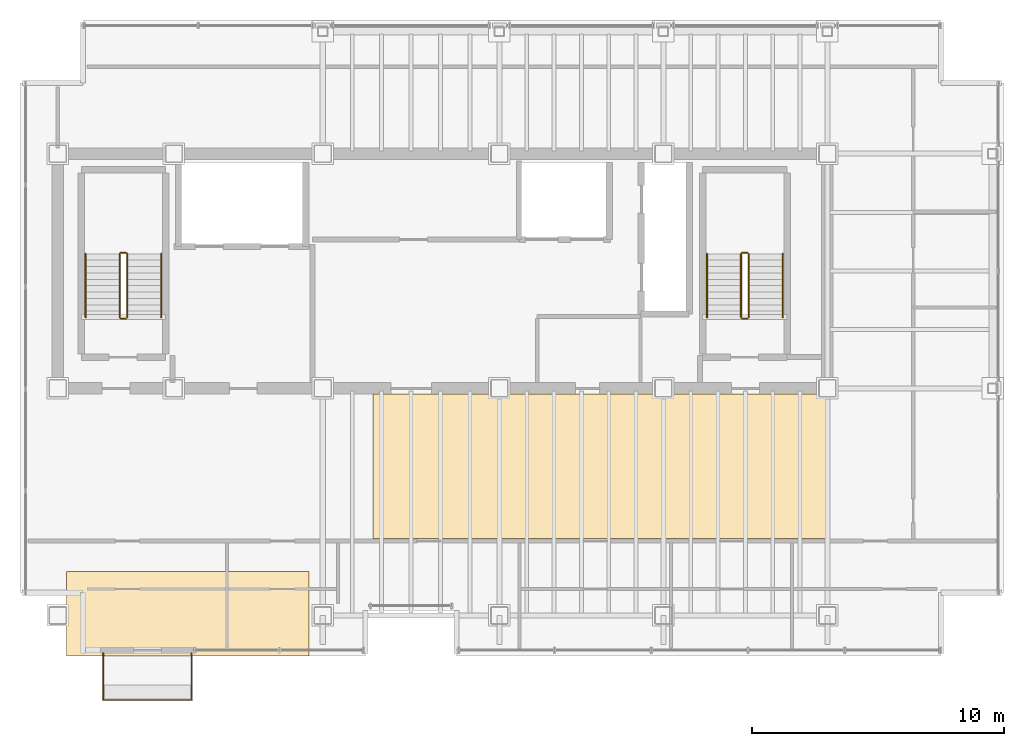
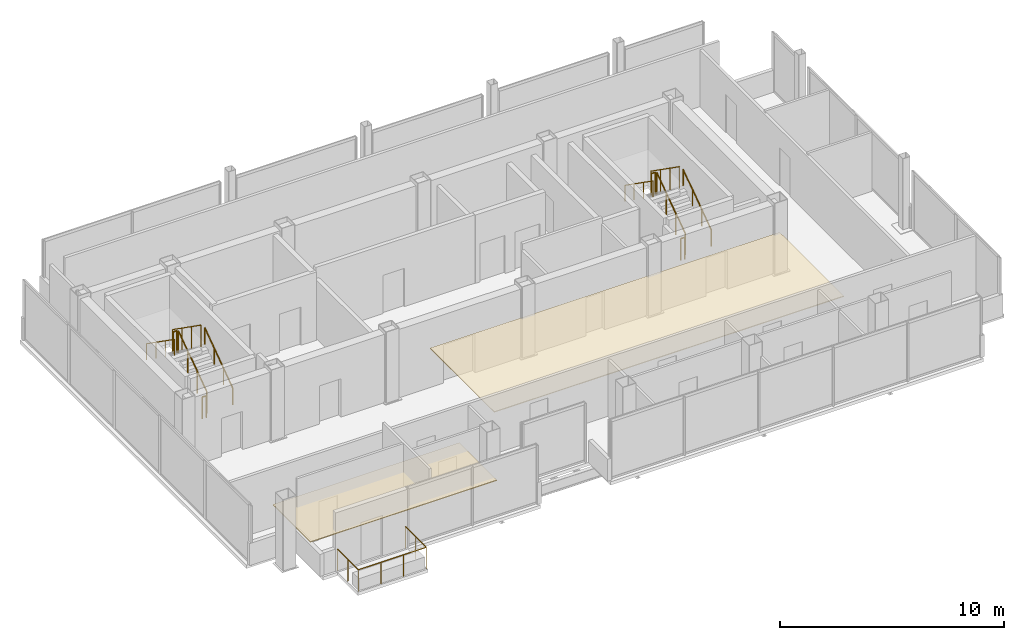
# One storey, part 17 of 17: 13 railings, 2 coverings.
"""IFC4 building model written with IfcOpenShell, lengths in metres."""

from ifc_helpers import new_model, si_unit, direction, frame, origin, origin_2d, place, context, subcontext, project, spatial, polyline, circle, outline, extrude, material, layer, layer_set, type_object, element, save


model = new_model("IFC4")

# Units and contexts
model_context = context("Model", 3, precision=1e-05, world=origin(), true_north=direction((0.0, 1.0)))
body_context = subcontext(model_context, "Body", "Model", "MODEL_VIEW")
ifc_project = project(units=[si_unit("LENGTHUNIT", "METRE"), si_unit("AREAUNIT", "SQUARE_METRE"), si_unit("VOLUMEUNIT", "CUBIC_METRE"), si_unit("PLANEANGLEUNIT", "RADIAN"), si_unit("MASSUNIT", "GRAM", prefix="KILO")], contexts=[model_context])

# Site, building, storey
site_placement = place(None, origin())
site = spatial("IfcSite", under=ifc_project, at=site_placement, CompositionType="ELEMENT")
building_placement = place(site_placement, origin())
building = spatial("IfcBuilding", under=site, at=building_placement, Name="Noeulbin Bourse Tower", CompositionType="ELEMENT")
storey_placement = place(building_placement, frame((0.0, 0.0, 296.89990234375)))
storey = spatial("IfcBuildingStorey", under=building, at=storey_placement, Name="L74", CompositionType="ELEMENT", Elevation=296.89990234375)

# Coverings
ifc_material_1 = material(Name="Perforated Mineral-Fibre Acoustic Tile")
ifc_layer_1 = layer(ifc_material_1, 0.0400390625)
ifc_layer_set_1 = layer_set([ifc_layer_1], Name="Perforated Mineral-Fibre Acoustic Tile")
covering_type_1 = type_object("IfcCoveringType", Name="COV-CEIL-ACT", PredefinedType="CEILING", material=ifc_layer_set_1)
covering_1_placement = place(storey_placement, frame((0.0, 0.0, 2.110107421875)))
element("IfcCovering", 1, at=covering_1_placement, inside=storey, type_object=covering_type_1, Name="Trading Suite Acoustic Ceiling L74", PredefinedType="CEILING", context=body_context, shape_type="SweptSolid", body=[
    extrude(outline(polyline([(13.85009765625, 18.39990234375), (23.449951171875, 18.39990234375), (23.449951171875, 21.75), (13.85009765625, 21.75), (13.85009765625, 18.39990234375)])), origin(), (0.0, 0.0, 1.0), 0.0400390625),
])
ifc_material_2 = material(Name="Linear Anodised Aluminium Baffle Ceiling", Category="aluminium")
ifc_layer_2 = layer(ifc_material_2, 0.050048828125)
ifc_layer_set_2 = layer_set([ifc_layer_2], Name="Linear Anodised Aluminium Baffle Ceiling")
covering_type_2 = type_object("IfcCoveringType", Name="COV-CEIL-MTL", PredefinedType="CEILING", material=ifc_layer_set_2)
covering_2_placement = place(storey_placement, frame((0.0, 0.0, 2.110107421875)))
element("IfcCovering", 2, at=covering_2_placement, inside=storey, type_object=covering_type_2, Name="Corridor Suspended Ceiling L74", PredefinedType="CEILING", context=body_context, shape_type="SweptSolid", body=[
    extrude(outline(polyline([(26.0, 23.050048828125), (44.0, 23.050048828125), (44.0, 28.780029296875), (26.0, 28.780029296875), (26.0, 23.050048828125)])), origin(), (0.0, 0.0, 1.0), 0.0400390625),
])

# Railings
ifc_material_3 = material(Name="Laminated SentryGlas and Stainless Steel 316", Category="steel")
ifc_layer_3 = layer(ifc_material_3, 0.06005859375)
ifc_layer_set_3 = layer_set([ifc_layer_3], Name="Laminated SentryGlas and Stainless Steel 316")
railing_type_1 = type_object("IfcRailingType", Name="RLG-BAL-1200", PredefinedType="BALUSTRADE", material=ifc_layer_set_3)
railing_1_placement = place(storey_placement, frame((15.300048828125, 18.52001953125, 0.0)))
element("IfcRailing", 3, at=railing_1_placement, inside=storey, type_object=railing_type_1, Name="Tree-Balcony Glazed Balustrade L74", PredefinedType="BALUSTRADE", context=body_context, shape_type="SweptSolid", body=[
    extrude(circle(Radius=0.02392578125, at=origin_2d()), frame((0.0, 0.0, 1.17578125), z_axis=(0.0, -1.0, 0.0), x_axis=(1.0, 0.0, 0.0)), (0.0, 0.0, 1.0), 1.8701171875),
    extrude(circle(Radius=0.02392578125, at=origin_2d()), frame((0.0, -1.8701171875, 1.17578125), z_axis=(1.0, 0.0, 0.0), x_axis=(0.0, 1.0, 0.0)), (0.0, 0.0, 1.0), 3.5),
    extrude(circle(Radius=0.02392578125, at=origin_2d()), frame((3.5, -1.8701171875, 1.17578125), z_axis=(0.0, 1.0, 0.0), x_axis=(-1.0, 0.0, 0.0)), (0.0, 0.0, 1.0), 1.8701171875),
    extrude(circle(Radius=0.02099609375, at=origin_2d()), origin(), (0.0, 0.0, 1.0), 1.15185546875),
    extrude(circle(Radius=0.02099609375, at=origin_2d()), frame((0.0, -0.93505859375, 0.0)), (0.0, 0.0, 1.0), 1.15185546875),
    extrude(circle(Radius=0.02099609375, at=origin_2d()), frame((0.0, -1.8701171875, 0.0)), (0.0, 0.0, 1.0), 1.15185546875),
    extrude(circle(Radius=0.02099609375, at=origin_2d()), frame((1.166748046875, -1.8701171875, 0.0)), (0.0, 0.0, 1.0), 1.15185546875),
    extrude(circle(Radius=0.02099609375, at=origin_2d()), frame((2.333251953125, -1.8701171875, 0.0)), (0.0, 0.0, 1.0), 1.15185546875),
    extrude(circle(Radius=0.02099609375, at=origin_2d()), frame((3.5, -1.8701171875, 0.0)), (0.0, 0.0, 1.0), 1.15185546875),
    extrude(circle(Radius=0.02099609375, at=origin_2d()), frame((3.5, -0.93505859375, 0.0)), (0.0, 0.0, 1.0), 1.15185546875),
    extrude(circle(Radius=0.02099609375, at=origin_2d()), frame((3.5, 0.0, 0.0)), (0.0, 0.0, 1.0), 1.15185546875),
])
ifc_material_4 = material(Name="Painted Tubular Steel S355", Category="steel")
ifc_layer_4 = layer(ifc_material_4, 0.048095703125)
ifc_layer_set_4 = layer_set([ifc_layer_4], Name="Painted Tubular Steel S355")
railing_type_2 = type_object("IfcRailingType", Name="RLG-STR-GRD", PredefinedType="GUARDRAIL", material=ifc_layer_set_4)
railing_2_placement = place(storey_placement, frame((16.25, 31.81005859375, 0.177490234375)))
element("IfcRailing", 4, at=railing_2_placement, inside=storey, type_object=railing_type_2, Name="L74 ST-1 stair guard 1", PredefinedType="GUARDRAIL", context=body_context, shape_type="SweptSolid", body=[
    extrude(circle(Radius=0.02392578125, at=origin_2d()), frame((0.0, 0.0, 1.17578125), z_axis=(0.0, 0.817904474719, 0.575354039036), x_axis=(-1.0, 0.0, 0.0)), (0.0, 0.0, 1.0), 3.0810546875),
    extrude(circle(Radius=0.02099609375, at=origin_2d()), origin(), (0.0, 0.0, 1.0), 1.15185546875),
    extrude(circle(Radius=0.02099609375, at=origin_2d()), frame((0.0, 0.840087890625, 0.5908203125)), (0.0, 0.0, 1.0), 1.15185546875),
    extrude(circle(Radius=0.02099609375, at=origin_2d()), frame((0.0, 1.679931640625, 1.181884765625)), (0.0, 0.0, 1.0), 1.15185546875),
    extrude(circle(Radius=0.02099609375, at=origin_2d()), frame((0.0, 2.52001953125, 1.772705078125)), (0.0, 0.0, 1.0), 1.15185546875),
])
railing_3_placement = place(storey_placement, frame((16.199951171875, 34.3798828125, 1.9501953125)))
element("IfcRailing", 5, at=railing_3_placement, inside=storey, type_object=railing_type_2, Name="L74 ST-1 stair guard 2", PredefinedType="GUARDRAIL", context=body_context, shape_type="SweptSolid", body=[
    extrude(circle(Radius=0.02392578125, at=origin_2d()), frame((0.0, 0.0, 1.17578125), z_axis=(-1.0, 0.0, 0.0), x_axis=(0.0, -1.0, 0.0)), (0.0, 0.0, 1.0), 0.199951171875),
    extrude(circle(Radius=0.02099609375, at=origin_2d()), origin(), (0.0, 0.0, 1.0), 1.15185546875),
    extrude(circle(Radius=0.02099609375, at=origin_2d()), frame((-0.199951171875, 0.0, 0.0)), (0.0, 0.0, 1.0), 1.15185546875),
])
railing_4_placement = place(storey_placement, frame((15.949951171875, 34.330078125, 2.12744140625)))
element("IfcRailing", 6, at=railing_4_placement, inside=storey, type_object=railing_type_2, Name="L74 ST-1 stair guard 3", PredefinedType="GUARDRAIL", context=body_context, shape_type="SweptSolid", body=[
    extrude(circle(Radius=0.02392578125, at=origin_2d()), frame((0.0, 0.0, 1.17578125), z_axis=(0.0, -0.817904474719, 0.575354039036), x_axis=(1.0, 0.0, 0.0)), (0.0, 0.0, 1.0), 3.0810546875),
    extrude(circle(Radius=0.02099609375, at=origin_2d()), origin(), (0.0, 0.0, 1.0), 1.15185546875),
    extrude(circle(Radius=0.02099609375, at=origin_2d()), frame((0.0, -0.840087890625, 0.5908203125)), (0.0, 0.0, 1.0), 1.15185546875),
    extrude(circle(Radius=0.02099609375, at=origin_2d()), frame((0.0, -1.679931640625, 1.181884765625)), (0.0, 0.0, 1.0), 1.15185546875),
    extrude(circle(Radius=0.02099609375, at=origin_2d()), frame((0.0, -2.52001953125, 1.772705078125)), (0.0, 0.0, 1.0), 1.15185546875),
])
railing_5_placement = place(storey_placement, frame((16.199951171875, 31.760009765625, 0.0)))
element("IfcRailing", 7, at=railing_5_placement, inside=storey, type_object=railing_type_2, Name="L74 ST-1 stair guard 4", PredefinedType="GUARDRAIL", context=body_context, shape_type="SweptSolid", body=[
    extrude(circle(Radius=0.02392578125, at=origin_2d()), frame((0.0, 0.0, 1.17578125), z_axis=(-1.0, 0.0, 0.0), x_axis=(0.0, -1.0, 0.0)), (0.0, 0.0, 1.0), 0.199951171875),
    extrude(circle(Radius=0.02099609375, at=origin_2d()), origin(), (0.0, 0.0, 1.0), 1.15185546875),
    extrude(circle(Radius=0.02099609375, at=origin_2d()), frame((-0.199951171875, 0.0, 0.0)), (0.0, 0.0, 1.0), 1.15185546875),
])
railing_6_placement = place(storey_placement, frame((40.8798828125, 31.81005859375, 0.177490234375)))
element("IfcRailing", 8, at=railing_6_placement, inside=storey, type_object=railing_type_2, Name="L74 ST-2 stair guard 1", PredefinedType="GUARDRAIL", context=body_context, shape_type="SweptSolid", body=[
    extrude(circle(Radius=0.02392578125, at=origin_2d()), frame((0.0, 0.0, 1.17578125), z_axis=(0.0, 0.817904474719, 0.575354039036), x_axis=(-1.0, 0.0, 0.0)), (0.0, 0.0, 1.0), 3.0810546875),
    extrude(circle(Radius=0.02099609375, at=origin_2d()), origin(), (0.0, 0.0, 1.0), 1.15185546875),
    extrude(circle(Radius=0.02099609375, at=origin_2d()), frame((0.0, 0.840087890625, 0.5908203125)), (0.0, 0.0, 1.0), 1.15185546875),
    extrude(circle(Radius=0.02099609375, at=origin_2d()), frame((0.0, 1.679931640625, 1.181884765625)), (0.0, 0.0, 1.0), 1.15185546875),
    extrude(circle(Radius=0.02099609375, at=origin_2d()), frame((0.0, 2.52001953125, 1.772705078125)), (0.0, 0.0, 1.0), 1.15185546875),
])
railing_7_placement = place(storey_placement, frame((40.830078125, 34.3798828125, 1.9501953125)))
element("IfcRailing", 9, at=railing_7_placement, inside=storey, type_object=railing_type_2, Name="L74 ST-2 stair guard 2", PredefinedType="GUARDRAIL", context=body_context, shape_type="SweptSolid", body=[
    extrude(circle(Radius=0.02392578125, at=origin_2d()), frame((0.0, 0.0, 1.17578125), z_axis=(-1.0, 0.0, 0.0), x_axis=(0.0, -1.0, 0.0)), (0.0, 0.0, 1.0), 0.2001953125),
    extrude(circle(Radius=0.02099609375, at=origin_2d()), origin(), (0.0, 0.0, 1.0), 1.15185546875),
    extrude(circle(Radius=0.02099609375, at=origin_2d()), frame((-0.2001953125, 0.0, 0.0)), (0.0, 0.0, 1.0), 1.15185546875),
])
railing_8_placement = place(storey_placement, frame((40.580078125, 34.330078125, 2.12744140625)))
element("IfcRailing", 10, at=railing_8_placement, inside=storey, type_object=railing_type_2, Name="L74 ST-2 stair guard 3", PredefinedType="GUARDRAIL", context=body_context, shape_type="SweptSolid", body=[
    extrude(circle(Radius=0.02392578125, at=origin_2d()), frame((0.0, 0.0, 1.17578125), z_axis=(0.0, -0.817904474719, 0.575354039036), x_axis=(1.0, 0.0, 0.0)), (0.0, 0.0, 1.0), 3.0810546875),
    extrude(circle(Radius=0.02099609375, at=origin_2d()), origin(), (0.0, 0.0, 1.0), 1.15185546875),
    extrude(circle(Radius=0.02099609375, at=origin_2d()), frame((0.0, -0.840087890625, 0.5908203125)), (0.0, 0.0, 1.0), 1.15185546875),
    extrude(circle(Radius=0.02099609375, at=origin_2d()), frame((0.0, -1.679931640625, 1.181884765625)), (0.0, 0.0, 1.0), 1.15185546875),
    extrude(circle(Radius=0.02099609375, at=origin_2d()), frame((0.0, -2.52001953125, 1.772705078125)), (0.0, 0.0, 1.0), 1.15185546875),
])
railing_9_placement = place(storey_placement, frame((40.830078125, 31.760009765625, 0.0)))
element("IfcRailing", 11, at=railing_9_placement, inside=storey, type_object=railing_type_2, Name="L74 ST-2 stair guard 4", PredefinedType="GUARDRAIL", context=body_context, shape_type="SweptSolid", body=[
    extrude(circle(Radius=0.02392578125, at=origin_2d()), frame((0.0, 0.0, 1.17578125), z_axis=(-1.0, 0.0, 0.0), x_axis=(0.0, -1.0, 0.0)), (0.0, 0.0, 1.0), 0.2001953125),
    extrude(circle(Radius=0.02099609375, at=origin_2d()), origin(), (0.0, 0.0, 1.0), 1.15185546875),
    extrude(circle(Radius=0.02099609375, at=origin_2d()), frame((-0.2001953125, 0.0, 0.0)), (0.0, 0.0, 1.0), 1.15185546875),
])
ifc_material_5 = material(Name="Brushed Stainless Steel 316", Category="steel")
ifc_layer_5 = layer(ifc_material_5, 0.048095703125)
ifc_layer_set_5 = layer_set([ifc_layer_5], Name="Brushed Stainless Steel 316")
railing_type_3 = type_object("IfcRailingType", Name="RLG-STR-HND", PredefinedType="HANDRAIL", material=ifc_layer_set_5)
railing_10_placement = place(storey_placement, frame((17.60009765625, 31.81005859375, 0.177490234375)))
element("IfcRailing", 12, at=railing_10_placement, inside=storey, type_object=railing_type_3, Name="L74 ST-1 stair handrail 1", PredefinedType="HANDRAIL", context=body_context, shape_type="SweptSolid", body=[
    extrude(circle(Radius=0.02392578125, at=origin_2d()), frame((0.0, 0.0, 0.8759765625), z_axis=(0.0, 0.817904474719, 0.575354039036), x_axis=(-1.0, 0.0, 0.0)), (0.0, 0.0, 1.0), 3.0810546875),
    extrude(circle(Radius=0.02099609375, at=origin_2d()), origin(), (0.0, 0.0, 1.0), 0.851806640625),
    extrude(circle(Radius=0.02099609375, at=origin_2d()), frame((0.0, 0.840087890625, 0.5908203125)), (0.0, 0.0, 1.0), 0.851806640625),
    extrude(circle(Radius=0.02099609375, at=origin_2d()), frame((0.0, 1.679931640625, 1.181884765625)), (0.0, 0.0, 1.0), 0.851806640625),
    extrude(circle(Radius=0.02099609375, at=origin_2d()), frame((0.0, 2.52001953125, 1.772705078125)), (0.0, 0.0, 1.0), 0.851806640625),
])
railing_11_placement = place(storey_placement, frame((14.60009765625, 34.330078125, 2.12744140625)))
element("IfcRailing", 13, at=railing_11_placement, inside=storey, type_object=railing_type_3, Name="L74 ST-1 stair handrail 2", PredefinedType="HANDRAIL", context=body_context, shape_type="SweptSolid", body=[
    extrude(circle(Radius=0.02392578125, at=origin_2d()), frame((0.0, 0.0, 0.8759765625), z_axis=(0.0, -0.817904474719, 0.575354039036), x_axis=(1.0, 0.0, 0.0)), (0.0, 0.0, 1.0), 3.0810546875),
    extrude(circle(Radius=0.02099609375, at=origin_2d()), origin(), (0.0, 0.0, 1.0), 0.851806640625),
    extrude(circle(Radius=0.02099609375, at=origin_2d()), frame((0.0, -0.840087890625, 0.5908203125)), (0.0, 0.0, 1.0), 0.851806640625),
    extrude(circle(Radius=0.02099609375, at=origin_2d()), frame((0.0, -1.679931640625, 1.181884765625)), (0.0, 0.0, 1.0), 0.851806640625),
    extrude(circle(Radius=0.02099609375, at=origin_2d()), frame((0.0, -2.52001953125, 1.772705078125)), (0.0, 0.0, 1.0), 0.851806640625),
])
railing_12_placement = place(storey_placement, frame((42.22998046875, 31.81005859375, 0.177490234375)))
element("IfcRailing", 14, at=railing_12_placement, inside=storey, type_object=railing_type_3, Name="L74 ST-2 stair handrail 1", PredefinedType="HANDRAIL", context=body_context, shape_type="SweptSolid", body=[
    extrude(circle(Radius=0.02392578125, at=origin_2d()), frame((0.0, 0.0, 0.8759765625), z_axis=(0.0, 0.817904474719, 0.575354039036), x_axis=(-1.0, 0.0, 0.0)), (0.0, 0.0, 1.0), 3.0810546875),
    extrude(circle(Radius=0.02099609375, at=origin_2d()), origin(), (0.0, 0.0, 1.0), 0.851806640625),
    extrude(circle(Radius=0.02099609375, at=origin_2d()), frame((0.0, 0.840087890625, 0.5908203125)), (0.0, 0.0, 1.0), 0.851806640625),
    extrude(circle(Radius=0.02099609375, at=origin_2d()), frame((0.0, 1.679931640625, 1.181884765625)), (0.0, 0.0, 1.0), 0.851806640625),
    extrude(circle(Radius=0.02099609375, at=origin_2d()), frame((0.0, 2.52001953125, 1.772705078125)), (0.0, 0.0, 1.0), 0.851806640625),
])
railing_13_placement = place(storey_placement, frame((39.22998046875, 34.330078125, 2.12744140625)))
element("IfcRailing", 15, at=railing_13_placement, inside=storey, type_object=railing_type_3, Name="L74 ST-2 stair handrail 2", PredefinedType="HANDRAIL", context=body_context, shape_type="SweptSolid", body=[
    extrude(circle(Radius=0.02392578125, at=origin_2d()), frame((0.0, 0.0, 0.8759765625), z_axis=(0.0, -0.817904474719, 0.575354039036), x_axis=(1.0, 0.0, 0.0)), (0.0, 0.0, 1.0), 3.0810546875),
    extrude(circle(Radius=0.02099609375, at=origin_2d()), origin(), (0.0, 0.0, 1.0), 0.851806640625),
    extrude(circle(Radius=0.02099609375, at=origin_2d()), frame((0.0, -0.840087890625, 0.5908203125)), (0.0, 0.0, 1.0), 0.851806640625),
    extrude(circle(Radius=0.02099609375, at=origin_2d()), frame((0.0, -1.679931640625, 1.181884765625)), (0.0, 0.0, 1.0), 0.851806640625),
    extrude(circle(Radius=0.02099609375, at=origin_2d()), frame((0.0, -2.52001953125, 1.772705078125)), (0.0, 0.0, 1.0), 0.851806640625),
])

save(model, "model.ifc")
